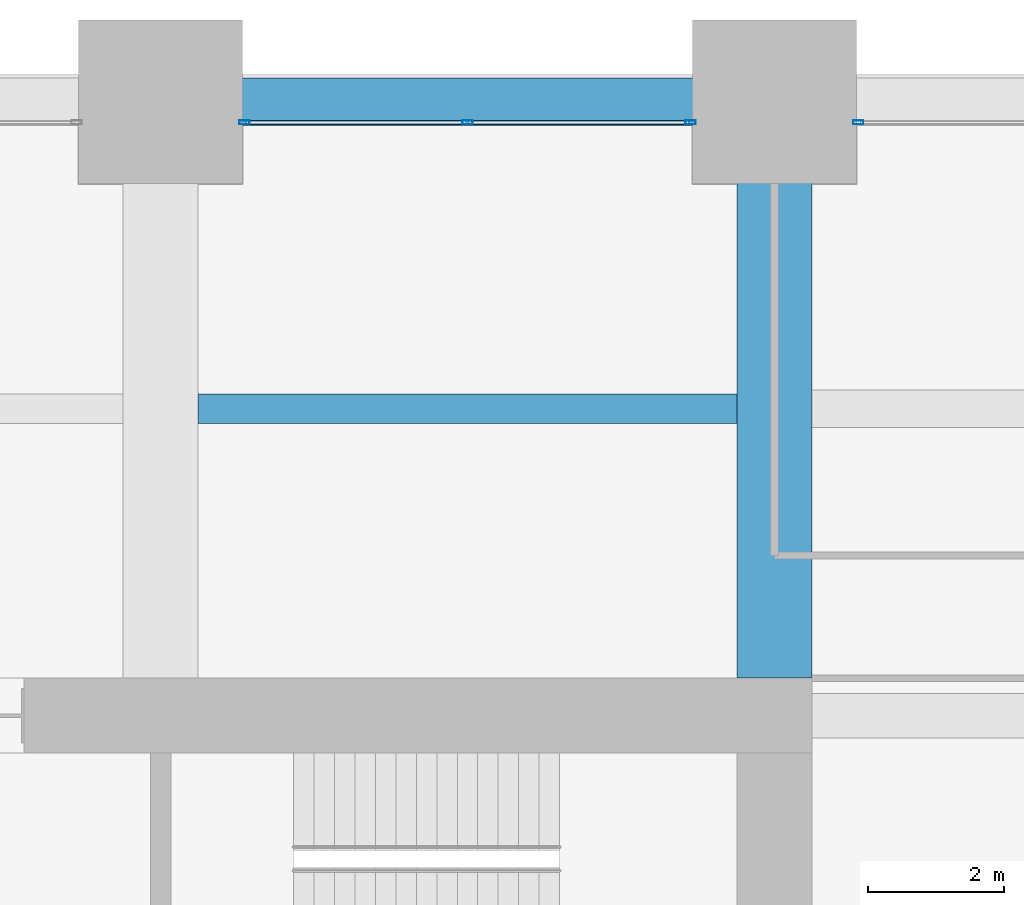
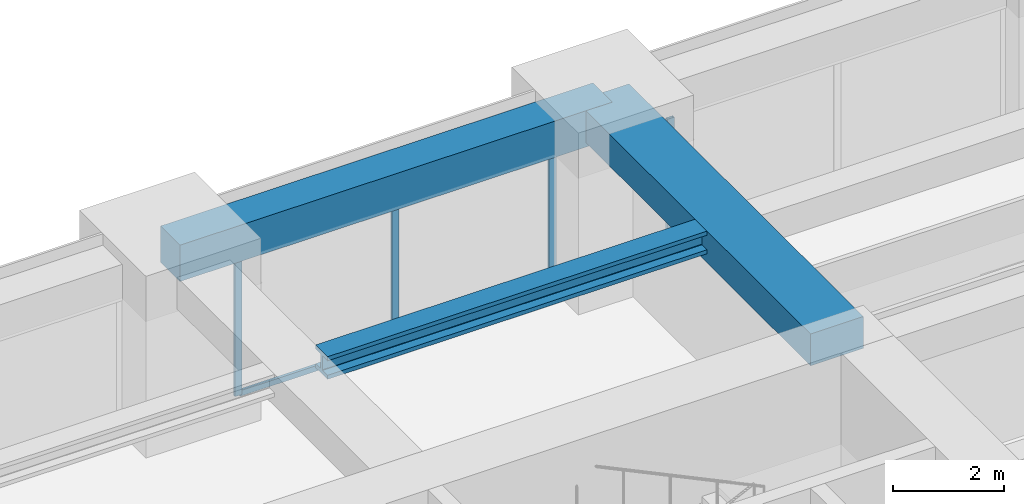
# One storey, part 30 of 40: 5 members, 3 beams, 2 elements without a shape of their own.
"""IFC4 building model written with IfcOpenShell, lengths in metres."""

from ifc_helpers import new_model, si_unit, direction, frame, origin, origin_2d, place, context, subcontext, project, spatial, rectangle, hollow_rectangle, i_section, extrude, material, material_profile, profile_set, type_object, element, aggregate, save


model = new_model("IFC4")

# Units and contexts
model_context = context("Model", 3, precision=1e-05, world=origin(), true_north=direction((0.0, 1.0)))
body_context = subcontext(model_context, "Body", "Model", "MODEL_VIEW")
ifc_project = project(units=[si_unit("LENGTHUNIT", "METRE"), si_unit("AREAUNIT", "SQUARE_METRE"), si_unit("VOLUMEUNIT", "CUBIC_METRE"), si_unit("PLANEANGLEUNIT", "RADIAN"), si_unit("MASSUNIT", "GRAM", prefix="KILO")], contexts=[model_context])

# Site, building, storey
site_placement = place(None, origin())
site = spatial("IfcSite", under=ifc_project, at=site_placement, CompositionType="ELEMENT")
building_placement = place(site_placement, origin())
building = spatial("IfcBuilding", under=site, at=building_placement, Name="Zorevar Civic Tower", CompositionType="ELEMENT")
storey_placement = place(building_placement, frame((0.0, 0.0, 133.0)))
storey = spatial("IfcBuildingStorey", under=building, at=storey_placement, Name="L32", CompositionType="ELEMENT", Elevation=133.0)

# Beam
ifc_material_1 = material(Name="Concrete C50/60", Category="concrete")
ifc_material_profile_1 = material_profile(ifc_material_1, rectangle(XDim=1.10009765625, YDim=0.699951171875, at=origin_2d()), Name="RC 1100x700")
ifc_profile_set_1 = profile_set([ifc_material_profile_1], Name="Concrete C50/60")
beam_type_1 = type_object("IfcBeamType", Name="Beam RC 1100x700", PredefinedType="BEAM", material=ifc_profile_set_1)
beam_1_placement = place(storey_placement, frame((45.0, 36.550048828125, 3.39990234375), z_axis=(0.0, 1.0, 0.0), x_axis=(-1.0, 0.0, 0.0)))
element("IfcBeam", 1, at=beam_1_placement, inside=storey, type_object=beam_type_1, Name="Girder L33", PredefinedType="BEAM", context=body_context, shape_type="SweptSolid", body=[
    extrude(rectangle(XDim=1.10009765625, YDim=0.699951171875, at=origin_2d()), origin(), (0.0, 0.0, 1.0), 8.449951171875),
])

# Curtain wall, members
ifc_material_2 = material(Name="Dark grey solar-control glass in black aluminium frame", Category="aluminium")
curtain_wall_type = type_object("IfcCurtainWallType", Name="Curtain wall CW3 mid zone", PredefinedType="NOTDEFINED", material=ifc_material_2)
curtain_wall_1_placement = place(storey_placement, origin())
curtain_wall_1 = element("IfcCurtainWall", 2, at=curtain_wall_1_placement, inside=storey, type_object=curtain_wall_type, Name="CW3 L32", PredefinedType="NOTDEFINED")
ifc_material_3 = material(Name="Aluminium, black anodised", Category="aluminium")
ifc_material_profile_2 = material_profile(ifc_material_3, hollow_rectangle(XDim=0.06005859375, YDim=0.14990234375, WallThickness=0.00390625, at=origin_2d()), Name="AL 150x60x4")
ifc_profile_set_2 = profile_set([ifc_material_profile_2], Name="Aluminium, black anodised")
member_type_1 = type_object("IfcMemberType", Name="CW3 mullion AL 150x60x4", PredefinedType="MULLION", material=ifc_profile_set_2)
member_1_placement = place(storey_placement, frame((37.22998046875, 44.699951171875, 0.0), z_axis=(0.0, 0.0, 1.0), x_axis=(0.0, 1.0, 0.0)))
member_1 = element("IfcMember", 3, at=member_1_placement, type_object=member_type_1, Name="CW3 mullion 1", PredefinedType="MULLION", context=body_context, shape_type="SweptSolid", body=[
    extrude(hollow_rectangle(XDim=0.06005859375, YDim=0.14990234375, WallThickness=0.00390625, at=origin_2d()), origin(), (0.0, 0.0, 1.0), 2.949951171875),
])
member_2_placement = place(storey_placement, frame((40.5, 44.699951171875, 0.06005859375), z_axis=(0.0, 0.0, 1.0), x_axis=(0.0, 1.0, 0.0)))
member_2 = element("IfcMember", 4, at=member_2_placement, type_object=member_type_1, Name="CW3 mullion 2", PredefinedType="MULLION", context=body_context, shape_type="SweptSolid", body=[
    extrude(hollow_rectangle(XDim=0.06005859375, YDim=0.14990234375, WallThickness=0.00390625, at=origin_2d()), origin(), (0.0, 0.0, 1.0), 2.889892578125),
])
member_3_placement = place(storey_placement, frame((43.77001953125, 44.699951171875, 0.0), z_axis=(0.0, 0.0, 1.0), x_axis=(0.0, 1.0, 0.0)))
member_3 = element("IfcMember", 5, at=member_3_placement, type_object=member_type_1, Name="CW3 mullion 3", PredefinedType="MULLION", context=body_context, shape_type="SweptSolid", body=[
    extrude(hollow_rectangle(XDim=0.06005859375, YDim=0.14990234375, WallThickness=0.00390625, at=origin_2d()), origin(), (0.0, 0.0, 1.0), 2.949951171875),
])

# Curtain wall, member
curtain_wall_2_placement = place(storey_placement, origin())
curtain_wall_2 = element("IfcCurtainWall", 6, at=curtain_wall_2_placement, inside=storey, type_object=curtain_wall_type, Name="CW3 L32", PredefinedType="NOTDEFINED")
member_4_placement = place(storey_placement, frame((46.22998046875, 44.699951171875, 0.0), z_axis=(0.0, 0.0, 1.0), x_axis=(0.0, 1.0, 0.0)))
member_4 = element("IfcMember", 7, at=member_4_placement, type_object=member_type_1, Name="CW3 mullion 1", PredefinedType="MULLION", context=body_context, shape_type="SweptSolid", body=[
    extrude(hollow_rectangle(XDim=0.06005859375, YDim=0.14990234375, WallThickness=0.00390625, at=origin_2d()), origin(), (0.0, 0.0, 1.0), 2.949951171875),
])
aggregate(curtain_wall_2, [member_4])

# Member
ifc_material_4 = material(Name="Aluminium, black anodised", Category="aluminium")
ifc_material_profile_3 = material_profile(ifc_material_4, hollow_rectangle(XDim=0.06005859375, YDim=0.1201171875, WallThickness=0.0029296875, at=origin_2d()), Name="AL 120x60x3")
ifc_profile_set_3 = profile_set([ifc_material_profile_3], Name="Aluminium, black anodised")
member_type_2 = type_object("IfcMemberType", Name="CW3 transom AL 120x60x3", PredefinedType="USERDEFINED", material=ifc_profile_set_3)
member_5_placement = place(storey_placement, frame((37.260009765625, 44.699951171875, 0.030029296875), z_axis=(1.0, 0.0, 0.0), x_axis=(0.0, 1.0, 0.0)))
member_5 = element("IfcMember", 8, at=member_5_placement, type_object=member_type_2, Name="CW3 sill transom", ObjectType="TRANSOM", PredefinedType="USERDEFINED", context=body_context, shape_type="SweptSolid", body=[
    extrude(hollow_rectangle(XDim=0.06005859375, YDim=0.1201171875, WallThickness=0.0029296875, at=origin_2d()), origin(), (0.0, 0.0, 1.0), 6.47998046875),
])

aggregate(curtain_wall_1, [member_1, member_2, member_3, member_5])

# Beams
ifc_material_5 = material(Name="Steel S460M (HISTAR 460)", Category="steel")
ifc_material_profile_4 = material_profile(ifc_material_5, i_section(OverallWidth=0.431884765625, OverallDepth=0.498046875, WebThickness=0.0556640625, FlangeThickness=0.0888671875, FilletRadius=0.014892578125, at=origin_2d()), Name="HD 400x744")
ifc_profile_set_4 = profile_set([ifc_material_profile_4], Name="Steel S460M (HISTAR 460)")
beam_type_2 = type_object("IfcBeamType", Name="Core bay beam HD 400x744", PredefinedType="BEAM", material=ifc_profile_set_4)
beam_2_placement = place(storey_placement, frame((36.550048828125, 40.5, 3.5009765625), z_axis=(1.0, 0.0, 0.0), x_axis=(0.0, 1.0, 0.0)))
element("IfcBeam", 9, at=beam_2_placement, inside=storey, type_object=beam_type_2, Name="Secondary beam L33", PredefinedType="BEAM", context=body_context, shape_type="SweptSolid", body=[
    extrude(i_section(OverallWidth=0.431884765625, OverallDepth=0.498046875, WebThickness=0.0556640625, FlangeThickness=0.0888671875, FilletRadius=0.014892578125, at=origin_2d()), origin(), (0.0, 0.0, 1.0), 7.89990234375),
])
ifc_material_6 = material(Name="Concrete C50/60", Category="concrete")
ifc_material_profile_5 = material_profile(ifc_material_6, rectangle(XDim=0.699951171875, YDim=0.800048828125, at=origin_2d()), Name="RC 700x800")
ifc_profile_set_5 = profile_set([ifc_material_profile_5], Name="Concrete C50/60")
beam_type_3 = type_object("IfcBeamType", Name="Edge beam RC 700x800", PredefinedType="SPANDREL", material=ifc_profile_set_5)
beam_3_placement = place(storey_placement, frame((36.0, 45.0, 3.35009765625), z_axis=(1.0, 0.0, 0.0), x_axis=(0.0, 1.0, 0.0)))
element("IfcBeam", 10, at=beam_3_placement, inside=storey, type_object=beam_type_3, Name="Edge beam L33", PredefinedType="SPANDREL", context=body_context, shape_type="SweptSolid", body=[
    extrude(rectangle(XDim=0.699951171875, YDim=0.800048828125, at=origin_2d()), origin(), (0.0, 0.0, 1.0), 9.0),
])

save(model, "model.ifc")
